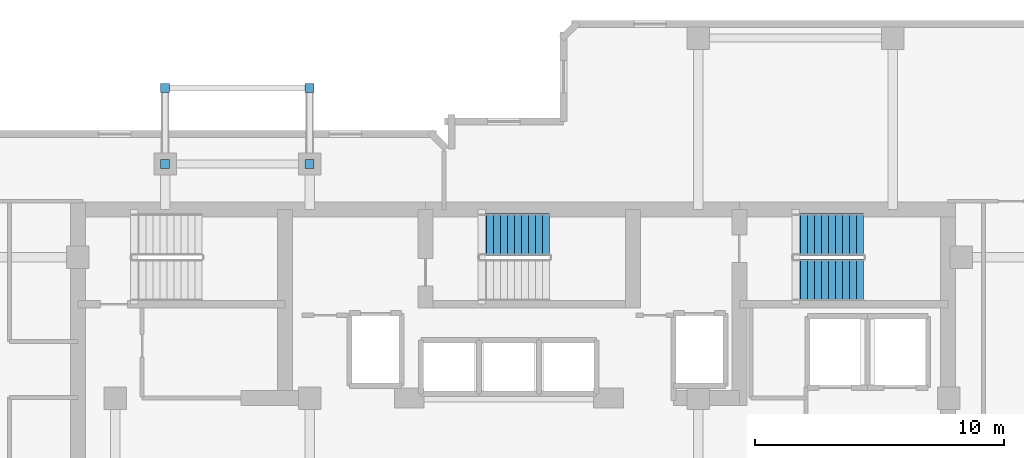
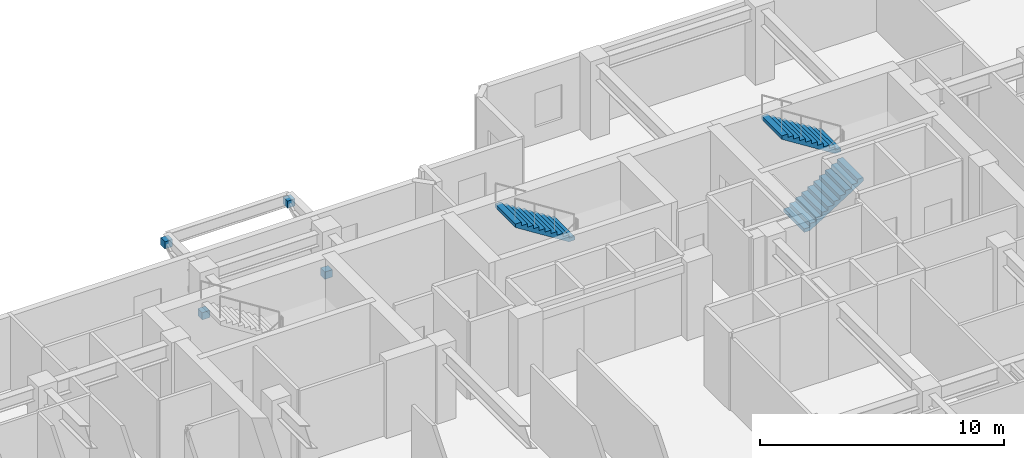
# One storey, part 9 of 11: 4 discrete accessories, 3 stair flights, 2 elements without a shape of their own.
"""IFC4 building model written with IfcOpenShell, lengths in metres."""

from ifc_helpers import new_model, si_unit, direction, frame, origin, origin_2d, place, context, subcontext, project, spatial, polyline, rectangle, outline, extrude, material, type_object, element, aggregate, save


model = new_model("IFC4")

# Units and contexts
model_context = context("Model", 3, precision=1e-05, world=origin(), true_north=direction((0.0, 1.0)))
body_context = subcontext(model_context, "Body", "Model", "MODEL_VIEW")
ifc_project = project(units=[si_unit("LENGTHUNIT", "METRE"), si_unit("AREAUNIT", "SQUARE_METRE"), si_unit("VOLUMEUNIT", "CUBIC_METRE"), si_unit("PLANEANGLEUNIT", "RADIAN"), si_unit("MASSUNIT", "GRAM", prefix="KILO")], contexts=[model_context])

# Site, building, storey
site_placement = place(None, origin())
site = spatial("IfcSite", under=ifc_project, at=site_placement, CompositionType="ELEMENT")
building_placement = place(site_placement, origin())
building = spatial("IfcBuilding", under=site, at=building_placement, Name="Kestravale Grand Hotel", CompositionType="ELEMENT")
storey_placement = place(building_placement, frame((0.0, 0.0, 208.5)))
storey = spatial("IfcBuildingStorey", under=building, at=storey_placement, Name="L52", CompositionType="ELEMENT", Elevation=208.5)

# Stair, stair flight
ifc_material_1 = material(Name="Concrete f'c 45 MPa", Category="concrete")
stair_type = type_object("IfcStairType", Name="ST-CORE-390", PredefinedType="HALF_TURN_STAIR", material=ifc_material_1)
stair_1_placement = place(storey_placement, origin())
stair_1 = element("IfcStair", 1, at=stair_1_placement, inside=storey, type_object=stair_type, Name="L52 ST-2", PredefinedType="HALF_TURN_STAIR")
ifc_material_2 = material(Name="Concrete f'c 45 MPa", Category="concrete")
stair_flight_type = type_object("IfcStairFlightType", Name="STF-CORE-390", PredefinedType="STRAIGHT", material=ifc_material_2)
stair_flight_1_placement = place(storey_placement, frame((40.830078125, 39.320068359375, 1.949951171875), z_axis=(0.0, 0.0, 1.0), x_axis=(-1.0, 0.0, 0.0)))
stair_flight_1 = element("IfcStairFlight", 2, at=stair_flight_1_placement, type_object=stair_flight_type, Name="ST-2 flight 2", NumberOfRisers=11, NumberOfTreads=10, PredefinedType="STRAIGHT", RiserHeight=0.177272727, TreadLength=0.28, context=body_context, shape_type="SweptSolid", body=[
    extrude(outline(polyline([(0.0, 0.0), (0.0, 0.17724609375), (0.280029296875, 0.17724609375), (0.280029296875, 0.3544921875), (0.56005859375, 0.3544921875), (0.56005859375, 0.53173828125), (0.840087890625, 0.53173828125), (0.840087890625, 0.708984375), (1.1201171875, 0.708984375), (1.1201171875, 0.886474609375), (1.39990234375, 0.886474609375), (1.39990234375, 1.063720703125), (1.679931640625, 1.063720703125), (1.679931640625, 1.240966796875), (1.9599609375, 1.240966796875), (1.9599609375, 1.418212890625), (2.239990234375, 1.418212890625), (2.239990234375, 1.595458984375), (2.52001953125, 1.595458984375), (2.52001953125, 1.772705078125), (2.800048828125, 1.772705078125), (2.800048828125, 1.949951171875), (2.800048828125, 1.59521484375), (0.2802734375, 0.0), (0.0, 0.0)])), frame((0.0, 0.83984375, 0.0), z_axis=(0.0, -1.0, 0.0), x_axis=(1.0, 0.0, 0.0)), (0.0, 0.0, 1.0), 1.679931640625),
])
aggregate(stair_1, [stair_flight_1])

# Stair, stair flights
stair_2_placement = place(storey_placement, origin())
stair_2 = element("IfcStair", 3, at=stair_2_placement, inside=storey, type_object=stair_type, Name="L52 ST-3", PredefinedType="HALF_TURN_STAIR")
stair_flight_2_placement = place(storey_placement, frame((50.6298828125, 37.489990234375, 0.0), z_axis=(0.0, 0.0, 1.0), x_axis=(1.0, 0.0, 0.0)))
stair_flight_2 = element("IfcStairFlight", 4, at=stair_flight_2_placement, type_object=stair_flight_type, Name="ST-3 flight 1", NumberOfRisers=11, NumberOfTreads=10, PredefinedType="STRAIGHT", RiserHeight=0.177272727, TreadLength=0.28, context=body_context, shape_type="SweptSolid", body=[
    extrude(outline(polyline([(0.0, 0.0), (0.0, 0.17724609375), (0.280029296875, 0.17724609375), (0.280029296875, 0.3544921875), (0.56005859375, 0.3544921875), (0.56005859375, 0.53173828125), (0.840087890625, 0.53173828125), (0.840087890625, 0.708984375), (1.1201171875, 0.708984375), (1.1201171875, 0.886474609375), (1.39990234375, 0.886474609375), (1.39990234375, 1.063720703125), (1.679931640625, 1.063720703125), (1.679931640625, 1.240966796875), (1.9599609375, 1.240966796875), (1.9599609375, 1.418212890625), (2.239990234375, 1.418212890625), (2.239990234375, 1.595458984375), (2.52001953125, 1.595458984375), (2.52001953125, 1.772705078125), (2.800048828125, 1.772705078125), (2.800048828125, 1.949951171875), (2.800048828125, 1.59521484375), (0.2802734375, 0.0), (0.0, 0.0)])), frame((0.0, 0.83984375, 0.0), z_axis=(0.0, -1.0, 0.0), x_axis=(1.0, 0.0, 0.0)), (0.0, 0.0, 1.0), 1.679931640625),
])
stair_flight_3_placement = place(storey_placement, frame((53.429931640625, 39.320068359375, 1.949951171875), z_axis=(0.0, 0.0, 1.0), x_axis=(-1.0, 0.0, 0.0)))
stair_flight_3 = element("IfcStairFlight", 5, at=stair_flight_3_placement, type_object=stair_flight_type, Name="ST-3 flight 2", NumberOfRisers=11, NumberOfTreads=10, PredefinedType="STRAIGHT", RiserHeight=0.177272727, TreadLength=0.28, context=body_context, shape_type="SweptSolid", body=[
    extrude(outline(polyline([(0.0, 0.0), (0.0, 0.17724609375), (0.280029296875, 0.17724609375), (0.280029296875, 0.3544921875), (0.56005859375, 0.3544921875), (0.56005859375, 0.53173828125), (0.840087890625, 0.53173828125), (0.840087890625, 0.708984375), (1.1201171875, 0.708984375), (1.1201171875, 0.886474609375), (1.39990234375, 0.886474609375), (1.39990234375, 1.063720703125), (1.679931640625, 1.063720703125), (1.679931640625, 1.240966796875), (1.9599609375, 1.240966796875), (1.9599609375, 1.418212890625), (2.239990234375, 1.418212890625), (2.239990234375, 1.595458984375), (2.52001953125, 1.595458984375), (2.52001953125, 1.772705078125), (2.800048828125, 1.772705078125), (2.800048828125, 1.949951171875), (2.800048828125, 1.59521484375), (0.2802734375, 0.0), (0.0, 0.0)])), frame((0.0, 0.83984375, 0.0), z_axis=(0.0, -1.0, 0.0), x_axis=(1.0, 0.0, 0.0)), (0.0, 0.0, 1.0), 1.679931640625),
])
aggregate(stair_2, [stair_flight_2, stair_flight_3])

# Discrete accessories
ifc_material_3 = material(Name="Steel ASTM A572 Grade 50 hot-dip galvanised bracket", Category="steel")
discrete_accessory_type = type_object("IfcDiscreteAccessoryType", Name="ACC-BRK-STL", PredefinedType="BRACKET", material=ifc_material_3)
for number, where, z_axis, x_axis, name in (
    (6, (25.39990234375, 42.14990234375, 1.2939453125), (0.0, 0.0, 1.0), (1.0, 0.0, 0.0), "L53 terrace strut column bracket 1"),
    (7, (25.39990234375, 45.199951171875, 2.994140625), (0.0, 0.0, 1.0), (1.0, 0.0, 0.0), "L53 terrace strut beam bracket 1"),
    (8, (31.199951171875, 42.14990234375, 1.2939453125), (0.0, 0.0, 1.0), (1.0, 0.0, 0.0), "L53 terrace strut column bracket 2"),
    (9, (31.199951171875, 45.199951171875, 2.994140625), (0.0, 0.0, 1.0), (1.0, 0.0, 0.0), "L53 terrace strut beam bracket 2"),
):
    element("IfcDiscreteAccessory", number, at=place(storey_placement, frame(where, z_axis=z_axis, x_axis=x_axis)), inside=storey, type_object=discrete_accessory_type, Name=name, PredefinedType="BRACKET", context=body_context, shape_type="SweptSolid", body=[
        extrude(rectangle(XDim=0.360107421875, YDim=0.360107421875, at=origin_2d()), origin(), (0.0, 0.0, 1.0), 0.360107421875),
    ])

save(model, "model.ifc")
